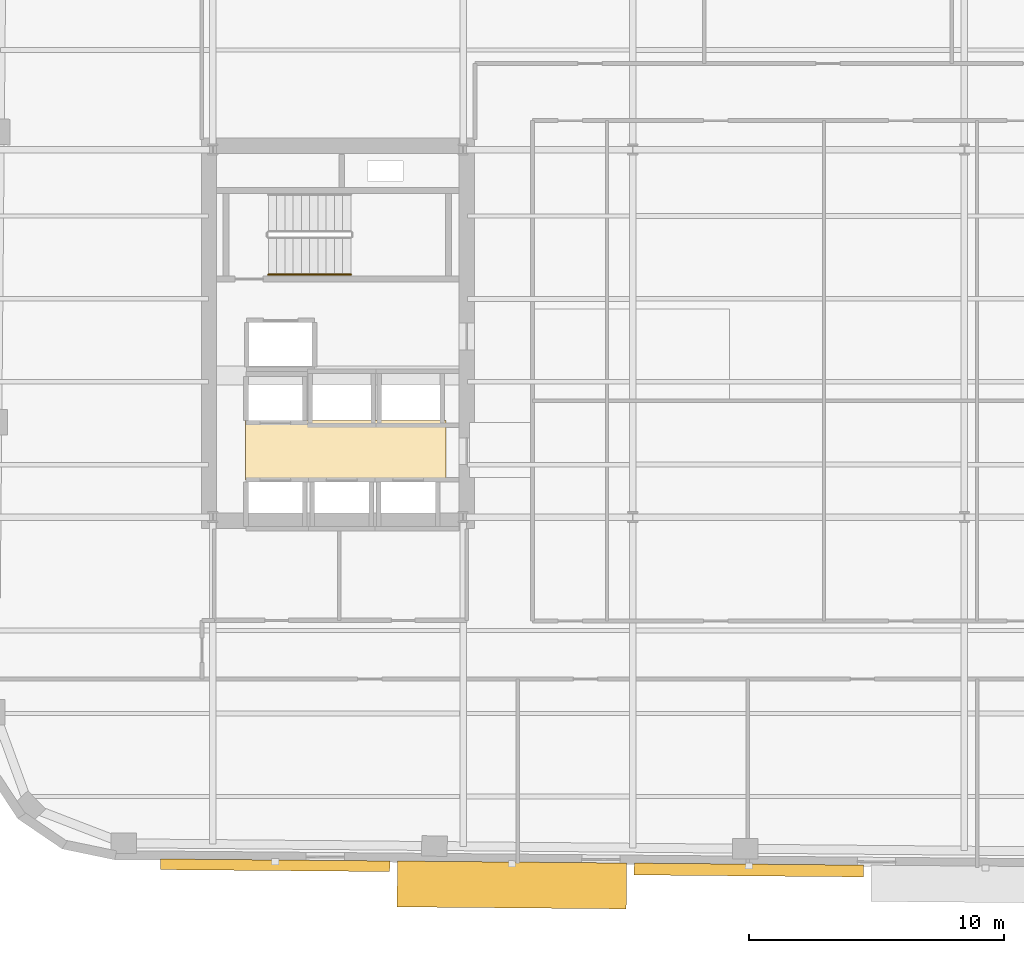
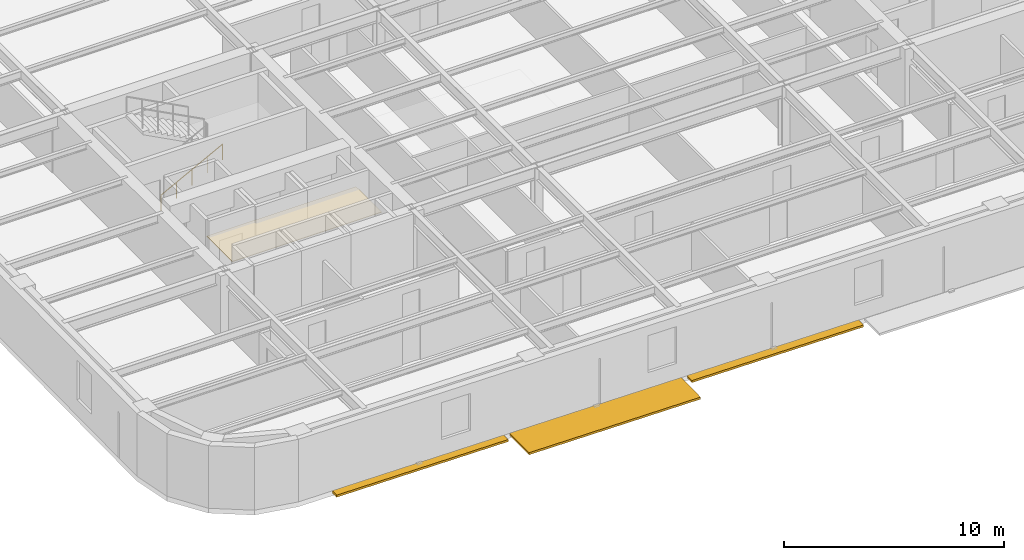
# One storey, part 8 of 11: 3 shading devices, 1 covering, 1 railing.
"""IFC4 building model written with IfcOpenShell, lengths in metres."""

from ifc_helpers import new_model, si_unit, direction, frame, origin, origin_2d, place, context, subcontext, project, spatial, polyline, rectangle, circle, outline, extrude, material, layer, layer_set, type_object, element, save


model = new_model("IFC4")

# Units and contexts
model_context = context("Model", 3, precision=1e-05, world=origin(), true_north=direction((0.0, 1.0)))
body_context = subcontext(model_context, "Body", "Model", "MODEL_VIEW")
ifc_project = project(units=[si_unit("LENGTHUNIT", "METRE"), si_unit("AREAUNIT", "SQUARE_METRE"), si_unit("VOLUMEUNIT", "CUBIC_METRE"), si_unit("PLANEANGLEUNIT", "RADIAN"), si_unit("MASSUNIT", "GRAM", prefix="KILO")], contexts=[model_context])

# Site, building, storey
site_placement = place(None, origin())
site = spatial("IfcSite", under=ifc_project, at=site_placement, CompositionType="ELEMENT")
building_placement = place(site_placement, origin())
building = spatial("IfcBuilding", under=site, at=building_placement, Name="Kolvaren Arena Tower", CompositionType="ELEMENT")
storey_placement = place(building_placement, frame((0.0, 0.0, 173.449951171875)))
storey = spatial("IfcBuildingStorey", under=building, at=storey_placement, Name="L41", CompositionType="ELEMENT", Elevation=173.449951171875)

# Covering
ifc_material_1 = material(Name="Moisture-resistant gypsum ceiling", Category="gypsum")
ifc_layer = layer(ifc_material_1, 0.030029296875)
ifc_layer_set = layer_set([ifc_layer], Name="Moisture-resistant gypsum ceiling")
covering_type = type_object("IfcCoveringType", Name="CEIL-GYP-1", PredefinedType="CEILING", material=ifc_layer_set)
covering_placement = place(storey_placement, frame((0.0, 0.0, 2.52001953125)))
element("IfcCovering", 1, at=covering_placement, inside=storey, type_object=covering_type, Name="Suspended Ceiling (L41)", PredefinedType="CEILING", context=body_context, shape_type="SweptSolid", body=[
    extrude(outline(polyline([(15.820068359375, 20.89990234375), (15.820068359375, 23.239990234375), (23.679931640625, 23.239990234375), (23.679931640625, 20.89990234375), (15.820068359375, 20.89990234375)])), origin(), (0.0, 0.0, 1.0), 0.030029296875),
])

# Railing
ifc_material_2 = material(Name="Brushed stainless steel handrail", Category="steel")
railing_type = type_object("IfcRailingType", Name="HRAIL-900", PredefinedType="HANDRAIL", material=ifc_material_2)
railing_placement = place(storey_placement, frame((16.719970703125, 28.949951171875, 0.17041015625)))
element("IfcRailing", 2, at=railing_placement, inside=storey, type_object=railing_type, Name="L41 ST-W1 stair handrail 1", PredefinedType="HANDRAIL", context=body_context, shape_type="SweptSolid", body=[
    extrude(circle(Radius=0.02392578125, at=origin_2d()), frame((0.0, 0.0, 0.8759765625), z_axis=(0.884993431791, 0.0, 0.465603506952), x_axis=(0.0, 1.0, 0.0)), (0.0, 0.0, 1.0), 3.6611328125),
    extrude(circle(Radius=0.02099609375, at=origin_2d()), origin(), (0.0, 0.0, 1.0), 0.851806640625),
    extrude(circle(Radius=0.02099609375, at=origin_2d()), frame((0.81005859375, 0.0, 0.42626953125)), (0.0, 0.0, 1.0), 0.851806640625),
    extrude(circle(Radius=0.02099609375, at=origin_2d()), frame((1.6201171875, 0.0, 0.852294921875)), (0.0, 0.0, 1.0), 0.851806640625),
    extrude(circle(Radius=0.02099609375, at=origin_2d()), frame((2.429931640625, 0.0, 1.2783203125)), (0.0, 0.0, 1.0), 0.851806640625),
    extrude(circle(Radius=0.02099609375, at=origin_2d()), frame((3.239990234375, 0.0, 1.70458984375)), (0.0, 0.0, 1.0), 0.851806640625),
])

# Shading devices
ifc_material_3 = material(Name="Architectural precast GFRC and anodised aluminium sunshade", Category="concrete")
shading_device_type_1 = type_object("IfcShadingDeviceType", Name="SHAD-SINE-A", PredefinedType="USERDEFINED", material=ifc_material_3)
shading_device_1_placement = place(storey_placement, frame((35.549560546875, 5.6171875, -0.139892578125), z_axis=(0.0, 0.0, 1.0), x_axis=(-0.999961923064, 0.008726535498, 0.0)))
element("IfcShadingDevice", 3, at=shading_device_1_placement, inside=storey, type_object=shading_device_type_1, Name="Sinusoidal Slab-Edge Sunshade Louvre (L41)", ObjectType="LOUVRE", PredefinedType="USERDEFINED", context=body_context, shape_type="SweptSolid", body=[
    extrude(rectangle(XDim=8.97998046875, YDim=0.46435546875, at=origin_2d()), origin(), (0.0, 0.0, 1.0), 0.1201171875),
])
shading_device_2_placement = place(storey_placement, frame((16.990478515625, 5.802490234375, -0.139892578125), z_axis=(0.0, 0.0, 1.0), x_axis=(-0.999961923064, 0.008726535498, 0.0)))
element("IfcShadingDevice", 4, at=shading_device_2_placement, inside=storey, type_object=shading_device_type_1, Name="Sinusoidal Slab-Edge Sunshade Louvre (L41)", ObjectType="LOUVRE", PredefinedType="USERDEFINED", context=body_context, shape_type="SweptSolid", body=[
    extrude(rectangle(XDim=8.97998046875, YDim=0.417724609375, at=origin_2d()), origin(), (0.0, 0.0, 1.0), 0.1201171875),
])
shading_device_type_2 = type_object("IfcShadingDeviceType", Name="SHAD-SINE-B", PredefinedType="JALOUSIE", material=ifc_material_3)
shading_device_3_placement = place(storey_placement, frame((26.263916015625, 5.031494140625, -0.139892578125), z_axis=(0.0, 0.0, 1.0), x_axis=(-0.999961923064, 0.008726535498, 0.0)))
element("IfcShadingDevice", 5, at=shading_device_3_placement, inside=storey, type_object=shading_device_type_2, Name="Sinusoidal Slab-Edge Sunshade Louvre (L41)", PredefinedType="JALOUSIE", context=body_context, shape_type="SweptSolid", body=[
    extrude(rectangle(XDim=8.97998046875, YDim=1.79833984375, at=origin_2d()), origin(), (0.0, 0.0, 1.0), 0.1201171875),
])

save(model, "model.ifc")
